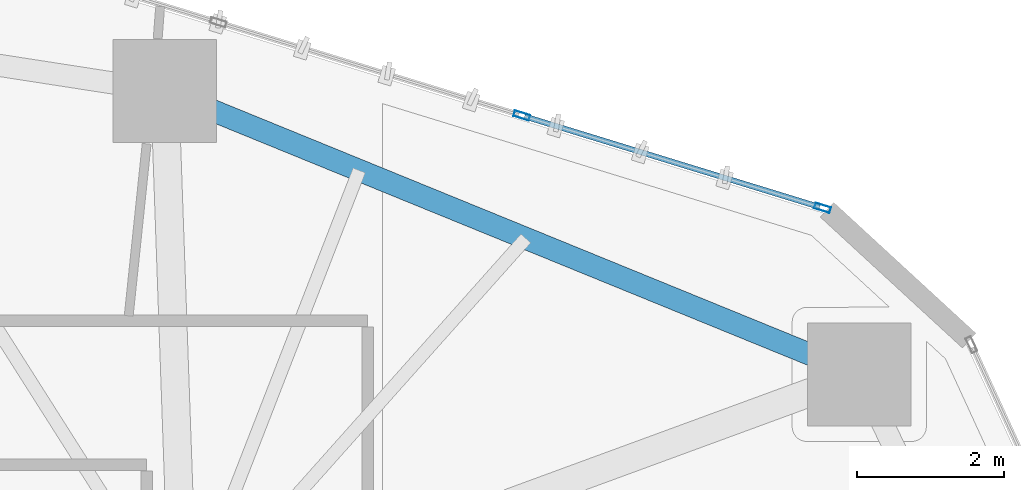
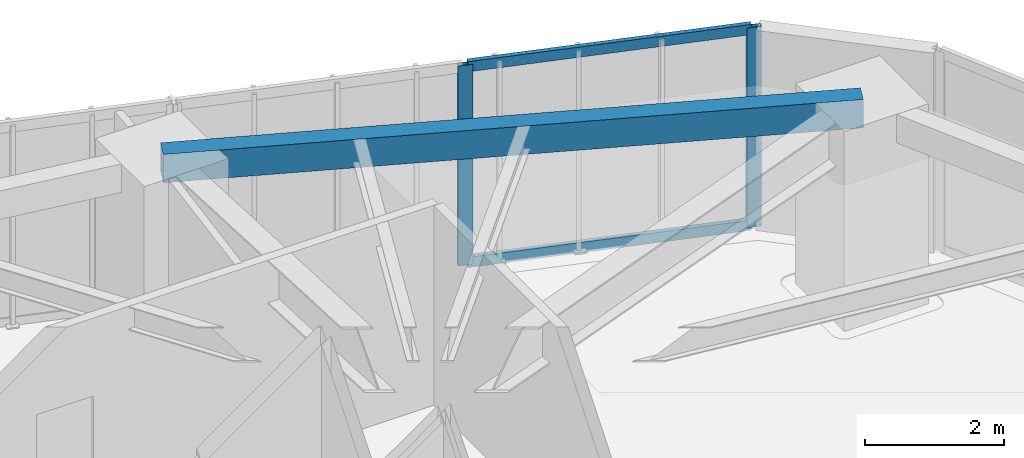
# One storey, part 17 of 24: 4 members, 1 beam, 1 element without a shape of its own.
"""IFC4 building model written with IfcOpenShell, lengths in metres."""

import ifcopenshell
import ifcopenshell.guid

model = None  # the IFC model being written
_history = None  # IfcOwnerHistory: only IFC2X3 demands one
_inside = {}  # id of a spatial element -> (the spatial element, [elements in it])
_under = {}  # id of a project, library or spatial element -> (it, [spatial elements below it])
_declared = {}  # id of a project -> (the project, [libraries it declares])
_typed = {}  # id of a type object -> (the type object, [elements of that type])
_made_of = {}  # id of a material, layer set ... -> (it, [elements and type objects made of it])


def new_model(schema):
    """Start an empty IFC model of exactly this schema.

    Asked for "IFC4X3", IfcOpenShell would pick the latest addendum, in which some entities
    have other attributes; the version numbers below select the first issue.
    IFC2X3 requires an IfcOwnerHistory on every rooted entity: one is made here for all.
    """
    global model, _history
    if schema == "IFC4X3":
        model = ifcopenshell.file(schema_version=(4, 3, 0, 0))
    else:
        model = ifcopenshell.file(schema=schema)
    _inside.clear()
    _under.clear()
    _declared.clear()
    _typed.clear()
    _made_of.clear()
    _history = None
    if model.schema == "IFC2X3":
        org = make("IfcOrganization", Name="unknown")
        user = make(
            "IfcPersonAndOrganization",
            ThePerson=make("IfcPerson", FamilyName="unknown"),
            TheOrganization=org,
        )
        app = make(
            "IfcApplication",
            ApplicationDeveloper=org,
            Version="unknown",
            ApplicationFullName="unknown",
            ApplicationIdentifier="unknown",
        )
        _history = make(
            "IfcOwnerHistory",
            OwningUser=user,
            OwningApplication=app,
            ChangeAction="ADDED",
            CreationDate=0,
        )
    return model


def make(cls, **values):
    """One entity of the class cls with the attributes given. An attribute that is None is left unset."""
    return model.create_entity(
        cls, **{name: value for name, value in values.items() if value is not None}
    )


def rooted(cls, **values):
    """An entity with a GlobalId (a new one), such as an element, a storey or a relation."""
    return make(cls, GlobalId=ifcopenshell.guid.new(), OwnerHistory=_history, **values)


def si_unit(unit_type, name, prefix=None):
    """IfcSIUnit, for example si_unit("LENGTHUNIT", "METRE", prefix="MILLI")."""
    return make("IfcSIUnit", UnitType=unit_type, Prefix=prefix, Name=name)


def assignment(units):
    """IfcUnitAssignment: the units of a project."""
    return None if units is None else make("IfcUnitAssignment", Units=units)


def point(xyz):
    """IfcCartesianPoint."""
    return None if xyz is None else make("IfcCartesianPoint", Coordinates=xyz)


def direction(xyz):
    """IfcDirection."""
    return None if xyz is None else make("IfcDirection", DirectionRatios=xyz)


def frame(location, z_axis=None, x_axis=None):
    """IfcAxis2Placement3D, a coordinate frame: its origin and axes. An axis left out is left unset."""
    return make(
        "IfcAxis2Placement3D",
        Location=point(location),
        Axis=direction(z_axis),
        RefDirection=direction(x_axis),
    )


def frame_2d(location, x_axis=None):
    """IfcAxis2Placement2D, a coordinate frame in the plane: its origin and x axis."""
    return make(
        "IfcAxis2Placement2D", Location=point(location), RefDirection=direction(x_axis)
    )


def origin():
    """The frame at (0, 0, 0) with its axes left unset."""
    return frame((0.0, 0.0, 0.0))


def origin_2d():
    """The frame at (0, 0) in the plane with its x axis left unset."""
    return frame_2d((0.0, 0.0))


def place(relative_to, where):
    """IfcLocalPlacement: puts the frame where relative to a parent placement (None: the world)."""
    return make(
        "IfcLocalPlacement", PlacementRelTo=relative_to, RelativePlacement=where
    )


def context(
    kind, dimensions, precision=None, world=None, true_north=None, identifier=None
):
    """IfcGeometricRepresentationContext, for example the 3D "Model" context."""
    return make(
        "IfcGeometricRepresentationContext",
        ContextIdentifier=identifier,
        ContextType=kind,
        CoordinateSpaceDimension=dimensions,
        Precision=precision,
        WorldCoordinateSystem=world,
        TrueNorth=true_north,
    )


def subcontext(parent, identifier, kind, view, scale=None):
    """IfcGeometricRepresentationSubContext, for example "Body" below "Model"."""
    return make(
        "IfcGeometricRepresentationSubContext",
        ContextIdentifier=identifier,
        ContextType=kind,
        ParentContext=parent,
        TargetScale=scale,
        TargetView=view,
    )


def project(units=None, contexts=None):
    """IfcProject with its units and contexts."""
    return rooted(
        "IfcProject",
        Name="project",
        RepresentationContexts=contexts,
        UnitsInContext=assignment(units),
    )


def spatial(cls, under=None, at=None, **own):
    """A site, building, storey or space (cls), placed at a placement, below another one or the project."""
    s = rooted(cls, ObjectPlacement=at, **own)
    if under is not None:
        _under.setdefault(under.id(), (under, []))[1].append(s)
    return s


def profile(cls, at=None, kind="AREA", **sizes):
    """A parametric profile (cls). Its sizes go by their IFC names, for example OverallWidth=200.0."""
    return make(cls, ProfileType=kind, Position=at, **sizes)


def hollow_rectangle(**sizes):
    """IfcRectangleHollowProfileDef."""
    return profile("IfcRectangleHollowProfileDef", **sizes)


def extrude(swept, where, along, depth):
    """IfcExtrudedAreaSolid: the profile swept, set in the frame where, extruded along a direction by depth."""
    return make(
        "IfcExtrudedAreaSolid",
        SweptArea=swept,
        Position=where,
        ExtrudedDirection=direction(along),
        Depth=depth,
    )


def shape(context_of_items, identifier, shape_type, items):
    """IfcShapeRepresentation: the items that make up one representation, for example the "Body"."""
    return make(
        "IfcShapeRepresentation",
        ContextOfItems=context_of_items,
        RepresentationIdentifier=identifier,
        RepresentationType=shape_type,
        Items=items,
    )


def source(mapping_origin, context_of_items, identifier, shape_type, items):
    """IfcRepresentationMap: a shape defined once, which mapped items show again and again."""
    return make(
        "IfcRepresentationMap",
        MappingOrigin=mapping_origin,
        MappedRepresentation=shape(context_of_items, identifier, shape_type, items),
    )


def transform(
    local_origin,
    x_axis=None,
    y_axis=None,
    z_axis=None,
    scale=None,
    scale2=None,
    scale3=None,
    uniform=True,
):
    """IfcCartesianTransformationOperator3D, or its non-uniform kind. x_axis, y_axis, z_axis: its Axis1, 2, 3."""
    if uniform:
        return make(
            "IfcCartesianTransformationOperator3D",
            Axis1=direction(x_axis),
            Axis2=direction(y_axis),
            LocalOrigin=point(local_origin),
            Scale=scale,
            Axis3=direction(z_axis),
        )
    return make(
        "IfcCartesianTransformationOperator3DnonUniform",
        Axis1=direction(x_axis),
        Axis2=direction(y_axis),
        LocalOrigin=point(local_origin),
        Scale=scale,
        Axis3=direction(z_axis),
        Scale2=scale2,
        Scale3=scale3,
    )


def mapped(mapping_source, mapping_target):
    """IfcMappedItem: shows the shape of a source again, moved by a transform."""
    return make(
        "IfcMappedItem", MappingSource=mapping_source, MappingTarget=mapping_target
    )


def material(Name=None, Category=None):
    """IfcMaterial."""
    return make("IfcMaterial", Name=Name, Category=Category)


def layer(
    of_material, thickness, ventilated=None, Name=None, Category=None, Priority=None
):
    """IfcMaterialLayer: one layer of a wall or slab, of a material (None: an air gap)."""
    return make(
        "IfcMaterialLayer",
        Material=of_material,
        LayerThickness=thickness,
        IsVentilated=ventilated,
        Name=Name,
        Category=Category,
        Priority=Priority,
    )


def layer_set(layers, Name=None):
    """IfcMaterialLayerSet."""
    return make("IfcMaterialLayerSet", MaterialLayers=layers, LayerSetName=Name)


def material_profile(
    of_material, cross_section, Name=None, Category=None, Priority=None
):
    """IfcMaterialProfile: a cross section and its material."""
    return make(
        "IfcMaterialProfile",
        Name=Name,
        Material=of_material,
        Profile=cross_section,
        Priority=Priority,
        Category=Category,
    )


def profile_set(profiles, Name=None, composite=None):
    """IfcMaterialProfileSet."""
    return make(
        "IfcMaterialProfileSet",
        Name=Name,
        MaterialProfiles=profiles,
        CompositeProfile=composite,
    )


def made_of(thing, what):
    """Note that an element or type object is made of a material, layer set ...; save() writes the relation."""
    if what is not None:
        _made_of.setdefault(what.id(), (what, []))[1].append(thing)
    return thing


def type_object(cls, material=None, **own):
    """A type object (cls), such as IfcWallType, which elements share."""
    return made_of(rooted(cls, **own), material)


def type_shapes(of_type, sources):
    """Give a type object the sources (RepresentationMaps) that its elements show as mapped items."""
    of_type.RepresentationMaps = sources


def element(
    cls,
    number,
    at=None,
    inside=None,
    cuts=None,
    type_object=None,
    material=None,
    context=None,
    identifier="Body",
    shape_type=None,
    held_by="IfcProductDefinitionShape",
    body=None,
    shapes=None,
    **own,
):
    """One element of the class cls, such as IfcWall. Its Tag is "e" and its number.

    at: its placement. inside: the storey or other place that contains it. cuts: it is an
    opening in that element (IfcRelVoidsElement). A single representation is given by context,
    identifier, shape_type and body (its items); several are given by shapes. held_by: the class
    of the entity that holds the representations. save() writes the other relations.
    """
    e = rooted(cls, Tag="e%d" % number, ObjectPlacement=at, **own)
    if body is not None:
        shapes = [shape(context, identifier, shape_type, body)]
    if shapes is not None:
        e.Representation = make(held_by, Representations=shapes)
    if inside is not None:
        _inside.setdefault(inside.id(), (inside, []))[1].append(e)
    if cuts is not None:
        rooted(
            "IfcRelVoidsElement", RelatingBuildingElement=cuts, RelatedOpeningElement=e
        )
    if type_object is not None:
        _typed.setdefault(type_object.id(), (type_object, []))[1].append(e)
    return made_of(e, material)


def aggregate(whole, parts):
    """IfcRelAggregates: a whole, such as a stair, and the parts it consists of."""
    return rooted("IfcRelAggregates", RelatingObject=whole, RelatedObjects=parts)


def save(model, path):
    """Write the relations noted so far, then the file.

    IfcRelAggregates (storeys below a building ...), IfcRelContainedInSpatialStructure (elements
    in a storey), IfcRelDefinesByType, IfcRelAssociatesMaterial and IfcRelDeclares: one each for
    every whole, place, type object, material and project.
    """
    for whole, parts in _under.values():
        aggregate(whole, parts)
    for where, things in _inside.values():
        rooted(
            "IfcRelContainedInSpatialStructure",
            RelatedElements=things,
            RelatingStructure=where,
        )
    for kind, things in _typed.values():
        rooted("IfcRelDefinesByType", RelatedObjects=things, RelatingType=kind)
    for what, things in _made_of.values():
        rooted("IfcRelAssociatesMaterial", RelatedObjects=things, RelatingMaterial=what)
    for by, libraries in _declared.values():
        rooted("IfcRelDeclares", RelatingContext=by, RelatedDefinitions=libraries)
    model.write(path)


model = new_model("IFC4")

# Units and contexts
model_context = context("Model", 3, precision=1e-05, world=origin(), true_north=direction((0.0, 1.0)))
body_context = subcontext(model_context, "Body", "Model", "MODEL_VIEW")
ifc_project = project(units=[si_unit("LENGTHUNIT", "METRE"), si_unit("AREAUNIT", "SQUARE_METRE"), si_unit("VOLUMEUNIT", "CUBIC_METRE"), si_unit("PLANEANGLEUNIT", "RADIAN"), si_unit("MASSUNIT", "GRAM", prefix="KILO")], contexts=[model_context])

# Site, building, storey
site_placement = place(None, origin())
site = spatial("IfcSite", under=ifc_project, at=site_placement, CompositionType="ELEMENT")
building_placement = place(site_placement, origin())
building = spatial("IfcBuilding", under=site, at=building_placement, Name="Talar Marvaseh", CompositionType="ELEMENT")
storey_placement = place(building_placement, frame((0.0, 0.0, 39.199951171875)))
storey = spatial("IfcBuildingStorey", under=building, at=storey_placement, Name="L09", CompositionType="ELEMENT", Elevation=39.199951171875)

# Beam
ifc_material_1 = material(Name="Steel S355", Category="steel")
ifc_material_profile_1 = material_profile(ifc_material_1, hollow_rectangle(XDim=0.300048828125, YDim=0.5, WallThickness=0.02001953125, at=origin_2d()), Name="RHS500x300x20")
ifc_profile_set_1 = profile_set([ifc_material_profile_1], Name="Steel S355")
beam_type = type_object("IfcBeamType", Name="Zone 1 Perimeter Spandrel Beam RHS500x300x20", PredefinedType="SPANDREL", material=ifc_profile_set_1)
beam_placement = place(storey_placement, frame((33.0458984375, 44.117919921875, 3.27001953125), z_axis=(0.92586732306, -0.377848779395, 0.0), x_axis=(0.377848779395, 0.92586732306, 0.0)))
element("IfcBeam", 1, at=beam_placement, inside=storey, type_object=beam_type, Name="L09 Zone 1 Perimeter Spandrel Beam RHS500x300x20", PredefinedType="SPANDREL", context=body_context, shape_type="SweptSolid", body=[
    extrude(hollow_rectangle(XDim=0.300048828125, YDim=0.5, WallThickness=0.02001953125, at=origin_2d()), origin(), (0.0, 0.0, 1.0), 10.186279296875),
])

# Curtain wall, members
ifc_material_2 = material(Name="Architectural Aluminium", Category="aluminium")
ifc_layer = layer(ifc_material_2, 0.219970703125)
ifc_layer_set = layer_set([ifc_layer], Name="Architectural Aluminium")
curtain_wall_type = type_object("IfcCurtainWallType", Name="Unitised Low-E Museum Curtain Wall Z1", PredefinedType="NOTDEFINED", material=ifc_layer_set)
curtain_wall_placement = place(storey_placement, origin())
curtain_wall = element("IfcCurtainWall", 2, at=curtain_wall_placement, inside=storey, type_object=curtain_wall_type, Name="L09 Unitised Low-E Museum Curtain Wall Z1", PredefinedType="NOTDEFINED")
ifc_material_profile_2 = material_profile(ifc_material_2, hollow_rectangle(XDim=0.080078125, YDim=0.219970703125, WallThickness=0.0048828125, at=origin_2d()), Name="RHS220x80x5")
ifc_profile_set_2 = profile_set([ifc_material_profile_2], Name="Architectural Aluminium")
member_type_1 = type_object("IfcMemberType", Name="Unitised Curtain Wall Heavy Mullion RHS220x80x5", PredefinedType="MULLION", material=ifc_profile_set_2)
shared_shape_1 = source(origin(), body_context, "Body", "SweptSolid", [
    extrude(hollow_rectangle(XDim=0.080078125, YDim=0.219970703125, WallThickness=0.0048828125, at=origin_2d()), origin(), (0.0, 0.0, 1.0), 3.52001953125),
])
type_shapes(member_type_1, [shared_shape_1])
member_1_placement = place(storey_placement, frame((37.89453125, 43.7841796875, 0.0), z_axis=(0.0, 0.0, 1.0), x_axis=(0.293508478326, 0.955956470322, 0.0)))
member_1 = element("IfcMember", 3, at=member_1_placement, type_object=member_type_1, Name="CW-Z1 mullion 4", PredefinedType="MULLION", context=body_context, shape_type="MappedRepresentation", body=[
    mapped(shared_shape_1, transform((0.0, 0.0, 0.0), x_axis=(1.0, 0.0, 0.0), y_axis=(0.0, 1.0, 0.0), z_axis=(0.0, 0.0, 1.0), scale=1.0)),
])
member_2_placement = place(storey_placement, frame((41.978271484375, 42.530517578125, 0.0), z_axis=(0.0, 0.0, 1.0), x_axis=(0.293508478326, 0.955956470322, 0.0)))
member_2 = element("IfcMember", 4, at=member_2_placement, type_object=member_type_1, Name="CW-Z1 mullion 5", PredefinedType="MULLION", context=body_context, shape_type="MappedRepresentation", body=[
    mapped(shared_shape_1, transform((0.0, 0.0, 0.0), x_axis=(1.0, 0.0, 0.0), y_axis=(0.0, 1.0, 0.0), z_axis=(0.0, 0.0, 1.0), scale=1.0)),
])
ifc_material_profile_3 = material_profile(ifc_material_2, hollow_rectangle(XDim=0.074951171875, YDim=0.179931640625, WallThickness=0.0048828125, at=origin_2d()), Name="RHS180x75x5")
ifc_profile_set_3 = profile_set([ifc_material_profile_3], Name="Architectural Aluminium")
member_type_2 = type_object("IfcMemberType", Name="Unitised Curtain Wall Transom RHS180x75x5", PredefinedType="USERDEFINED", material=ifc_profile_set_3)
shared_shape_2 = source(origin(), body_context, "Body", "SweptSolid", [
    extrude(hollow_rectangle(XDim=0.074951171875, YDim=0.179931640625, WallThickness=0.0048828125, at=origin_2d()), origin(), (0.0, 0.0, 1.0), 4.191650390625),
])
type_shapes(member_type_2, [shared_shape_2])
member_3_placement = place(storey_placement, frame((37.932861328125, 43.7724609375, 0.03759765625), z_axis=(0.955961427795, -0.293492331363, 0.0), x_axis=(0.293492331363, 0.955961427795, 0.0)))
member_3 = element("IfcMember", 5, at=member_3_placement, type_object=member_type_2, Name="CW-Z1 transom 4.1", ObjectType="TRANSOM", PredefinedType="USERDEFINED", context=body_context, shape_type="MappedRepresentation", body=[
    mapped(shared_shape_2, transform((0.0, 0.0, 0.0), x_axis=(1.0, 0.0, 0.0), y_axis=(0.0, 1.0, 0.0), z_axis=(0.0, 0.0, 1.0), scale=1.0)),
])
member_4_placement = place(storey_placement, frame((37.932861328125, 43.7724609375, 3.482666015625), z_axis=(0.955961427795, -0.293492331363, 0.0), x_axis=(0.293492331363, 0.955961427795, 0.0)))
member_4 = element("IfcMember", 6, at=member_4_placement, type_object=member_type_2, Name="CW-Z1 transom 4.2", ObjectType="TRANSOM", PredefinedType="USERDEFINED", context=body_context, shape_type="MappedRepresentation", body=[
    mapped(shared_shape_2, transform((0.0, 0.0, 0.0), x_axis=(1.0, 0.0, 0.0), y_axis=(0.0, 1.0, 0.0), z_axis=(0.0, 0.0, 1.0), scale=1.0)),
])
aggregate(curtain_wall, [member_1, member_2, member_3, member_4])

save(model, "model.ifc")
